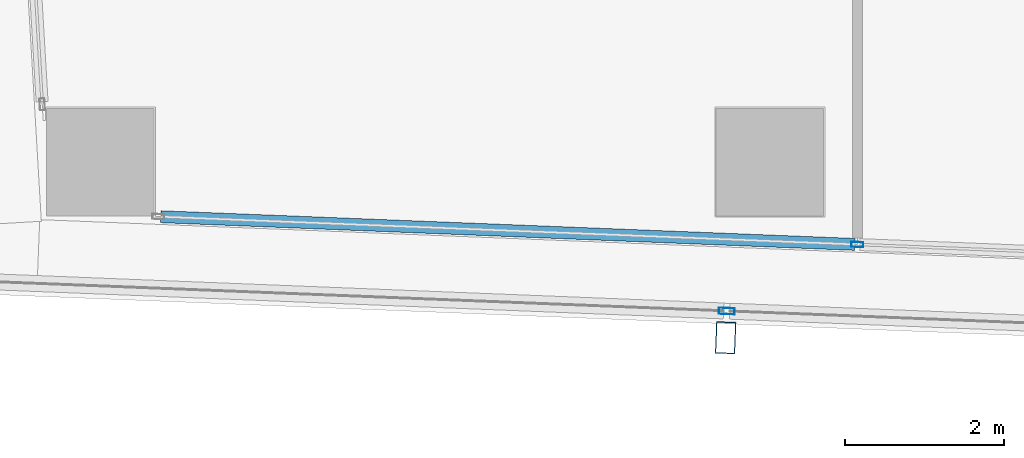
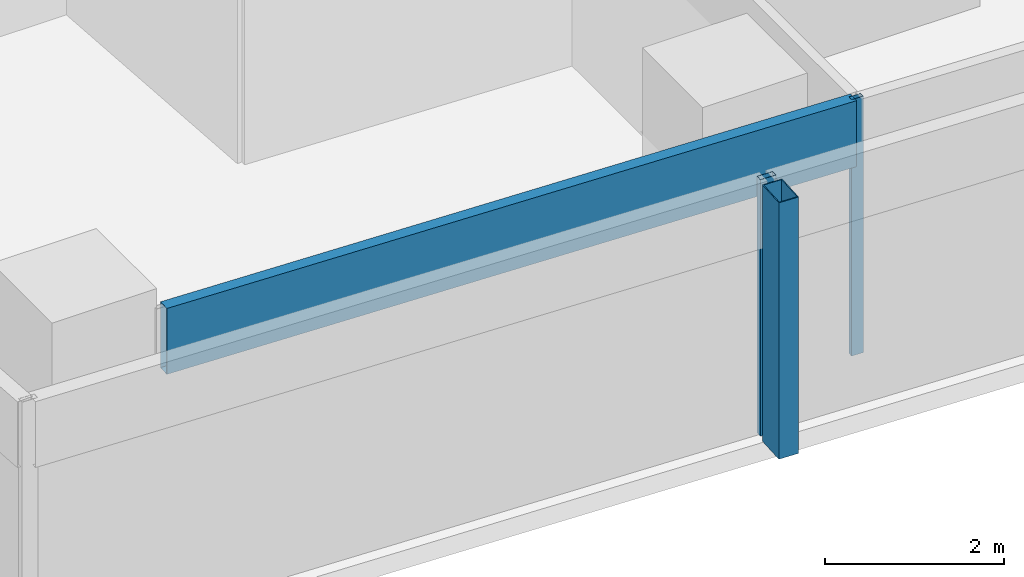
# One storey, part 3 of 39: 4 members, 2 elements without a shape of their own.
"""IFC4 building model written with IfcOpenShell, lengths in metres."""

from ifc_helpers import new_model, si_unit, direction, frame, origin, origin_2d, place, context, subcontext, project, spatial, hollow_rectangle, extrude, material, material_profile, profile_set, type_object, element, aggregate, save


model = new_model("IFC4")

# Units and contexts
model_context = context("Model", 3, precision=1e-05, world=origin(), true_north=direction((0.0, 1.0)))
body_context = subcontext(model_context, "Body", "Model", "MODEL_VIEW")
ifc_project = project(units=[si_unit("LENGTHUNIT", "METRE"), si_unit("AREAUNIT", "SQUARE_METRE"), si_unit("VOLUMEUNIT", "CUBIC_METRE"), si_unit("PLANEANGLEUNIT", "RADIAN"), si_unit("MASSUNIT", "GRAM", prefix="KILO")], contexts=[model_context])

# Site, building, storey
site_placement = place(None, origin())
site = spatial("IfcSite", under=ifc_project, at=site_placement, CompositionType="ELEMENT")
building_placement = place(site_placement, origin())
building = spatial("IfcBuilding", under=site, at=building_placement, Name="Rekha Terrace Tower", CompositionType="ELEMENT")
storey_placement = place(building_placement, frame((0.0, 0.0, 217.699951171875)))
storey = spatial("IfcBuildingStorey", under=building, at=storey_placement, Name="L55", CompositionType="ELEMENT", Elevation=217.699951171875)

# Curtain wall, member
ifc_material_1 = material(Name="Aluminium framing", Category="aluminium")
curtain_wall_type_1 = type_object("IfcCurtainWallType", Name="CW2 double skin outer glazing", PredefinedType="USERDEFINED", material=ifc_material_1)
curtain_wall_1_placement = place(storey_placement, origin())
curtain_wall_1 = element("IfcCurtainWall", 1, at=curtain_wall_1_placement, inside=storey, type_object=curtain_wall_type_1, Name="CW2 double skin outer glazing", ObjectType="DOUBLE SKIN OUTER GLAZING", PredefinedType="USERDEFINED")
ifc_material_2 = material(Name="Steel S355 with fluorocarbon finish", Category="steel")
ifc_material_profile_1 = material_profile(ifc_material_2, hollow_rectangle(XDim=0.25, YDim=0.39990234375, WallThickness=0.012451171875, at=origin_2d()), Name="RHS400x250x12.5")
ifc_profile_set_1 = profile_set([ifc_material_profile_1], Name="Steel S355 with fluorocarbon finish")
member_type_1 = type_object("IfcMemberType", Name="BL1 facade blade RHS 400 x 250", PredefinedType="USERDEFINED", material=ifc_profile_set_1)
member_1_placement = place(storey_placement, frame((16.24658203125, 14.595947265625, 0.0), z_axis=(0.0, 0.0, 1.0), x_axis=(0.999204797763, -0.039871946621, 0.0)))
member_1 = element("IfcMember", 2, at=member_1_placement, type_object=member_type_1, Name="Facade blade", ObjectType="FACADE BLADE", PredefinedType="USERDEFINED", context=body_context, shape_type="SweptSolid", body=[
    extrude(hollow_rectangle(XDim=0.25, YDim=0.39990234375, WallThickness=0.012451171875, at=origin_2d()), origin(), (0.0, 0.0, 1.0), 3.5),
])

# Curtain wall, members
curtain_wall_type_2 = type_object("IfcCurtainWallType", Name="CW1 double skin inner glazing", PredefinedType="USERDEFINED", material=ifc_material_1)
curtain_wall_2_placement = place(storey_placement, origin())
curtain_wall_2 = element("IfcCurtainWall", 3, at=curtain_wall_2_placement, inside=storey, type_object=curtain_wall_type_2, Name="CW1 double skin inner glazing", ObjectType="DOUBLE SKIN INNER GLAZING", PredefinedType="USERDEFINED")
ifc_material_3 = material(Name="Aluminium mullion section", Category="aluminium")
ifc_material_profile_2 = material_profile(ifc_material_3, hollow_rectangle(XDim=0.06494140625, YDim=0.14990234375, WallThickness=0.00390625, at=origin_2d()), Name="AL RHS 65x150")
ifc_profile_set_2 = profile_set([ifc_material_profile_2], Name="Aluminium mullion section")
member_type_2 = type_object("IfcMemberType", Name="CW1 mullion RHS 65 x 150", PredefinedType="MULLION", material=ifc_profile_set_2)
member_2_placement = place(storey_placement, frame((17.89892578125, 15.765869140625, 0.0), z_axis=(0.0, 0.0, 1.0), x_axis=(0.039872497061, 0.999204775798, 0.0)))
member_2 = element("IfcMember", 4, at=member_2_placement, type_object=member_type_2, Name="CW1 mullion 2", PredefinedType="MULLION", context=body_context, shape_type="SweptSolid", body=[
    extrude(hollow_rectangle(XDim=0.06494140625, YDim=0.14990234375, WallThickness=0.00390625, at=origin_2d()), origin(), (0.0, 0.0, 1.0), 3.5),
])
ifc_material_4 = material(Name="Insulated aluminium spandrel box", Category="aluminium")
ifc_material_profile_3 = material_profile(ifc_material_4, hollow_rectangle(XDim=0.14990234375, YDim=0.89990234375, WallThickness=0.0029296875, at=origin_2d()), Name="AL SPANDREL BOX 150x900")
ifc_profile_set_3 = profile_set([ifc_material_profile_3], Name="Insulated aluminium spandrel box")
member_type_3 = type_object("IfcMemberType", Name="CW1 spandrel transom 150 x 900", PredefinedType="USERDEFINED", material=ifc_profile_set_3)
member_3_placement = place(storey_placement, frame((9.15966796875, 16.11474609375, 3.050048828125), z_axis=(0.999204892499, -0.039869572443, 0.0), x_axis=(0.039869572443, 0.999204892499, 0.0)))
member_3 = element("IfcMember", 5, at=member_3_placement, type_object=member_type_3, Name="CW1 spandrel transom 1", ObjectType="TRANSOM", PredefinedType="USERDEFINED", context=body_context, shape_type="SweptSolid", body=[
    extrude(hollow_rectangle(XDim=0.14990234375, YDim=0.89990234375, WallThickness=0.0029296875, at=origin_2d()), origin(), (0.0, 0.0, 1.0), 8.713623046875),
])
aggregate(curtain_wall_2, [member_2, member_3])

# Member
ifc_material_profile_4 = material_profile(ifc_material_3, hollow_rectangle(XDim=0.080078125, YDim=0.199951171875, WallThickness=0.00390625, at=origin_2d()), Name="AL RHS 80x200")
ifc_profile_set_4 = profile_set([ifc_material_profile_4], Name="Aluminium mullion section")
member_type_4 = type_object("IfcMemberType", Name="CW2 mullion RHS 80 x 200", PredefinedType="MULLION", material=ifc_profile_set_4)
member_4_placement = place(storey_placement, frame((16.259765625, 14.9306640625, 0.0), z_axis=(0.0, 0.0, 1.0), x_axis=(0.039872497044, 0.999204775799, 0.0)))
member_4 = element("IfcMember", 6, at=member_4_placement, type_object=member_type_4, Name="CW2 mullion 2", PredefinedType="MULLION", context=body_context, shape_type="SweptSolid", body=[
    extrude(hollow_rectangle(XDim=0.080078125, YDim=0.199951171875, WallThickness=0.00390625, at=origin_2d()), origin(), (0.0, 0.0, 1.0), 3.5),
])

aggregate(curtain_wall_1, [member_4, member_1])

save(model, "model.ifc")
